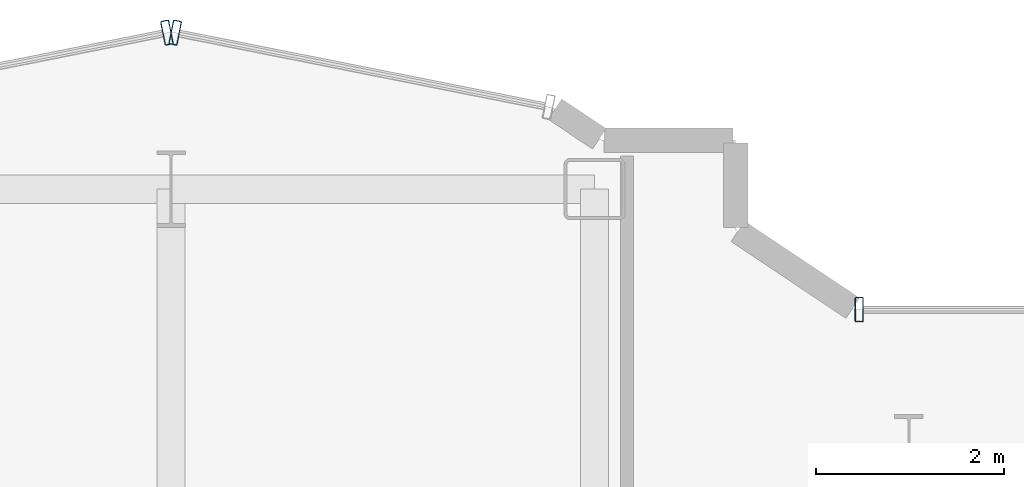
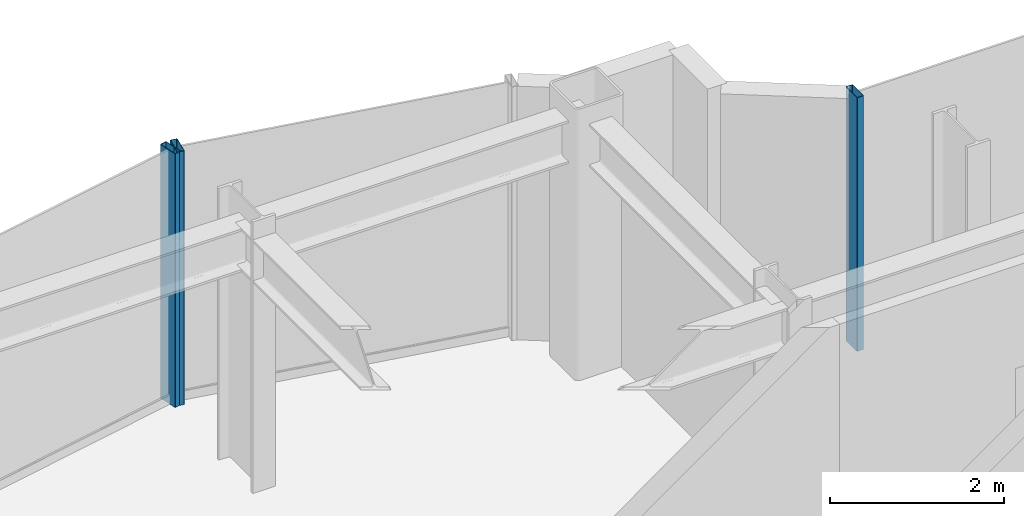
# One storey, part 10 of 20: 3 members, 3 elements without a shape of their own.
"""IFC4 building model written with IfcOpenShell, lengths in metres."""

from ifc_helpers import new_model, si_unit, direction, frame, origin, origin_2d, place, context, subcontext, project, spatial, hollow_rectangle, extrude, source, transform, mapped, material, layer, layer_set, material_profile, profile_set, type_object, element, aggregate, save


model = new_model("IFC4")

# Units and contexts
model_context = context("Model", 3, precision=1e-05, world=origin(), true_north=direction((0.0, 1.0)))
body_context = subcontext(model_context, "Body", "Model", "MODEL_VIEW")
ifc_project = project(units=[si_unit("LENGTHUNIT", "METRE"), si_unit("AREAUNIT", "SQUARE_METRE"), si_unit("VOLUMEUNIT", "CUBIC_METRE"), si_unit("PLANEANGLEUNIT", "RADIAN"), si_unit("MASSUNIT", "GRAM", prefix="KILO")], contexts=[model_context])

# Site, building, storey
site_placement = place(None, origin())
site = spatial("IfcSite", under=ifc_project, at=site_placement, CompositionType="ELEMENT")
building_placement = place(site_placement, origin())
building = spatial("IfcBuilding", under=site, at=building_placement, Name="Nefas-Gora Pilgrimage Tower", CompositionType="ELEMENT")
storey_placement = place(building_placement, frame((0.0, 0.0, 214.199951171875)))
storey = spatial("IfcBuildingStorey", under=building, at=storey_placement, Name="L53", CompositionType="ELEMENT", Elevation=214.199951171875)

# Curtain wall, member
ifc_material_1 = material(Name="Dark ceramic-fritted solar-control aluminium-glass curtain wall", Category="aluminium")
ifc_layer = layer(ifc_material_1, 0.219970703125)
ifc_layer_set = layer_set([ifc_layer], Name="Dark ceramic-fritted solar-control aluminium-glass curtain wall")
curtain_wall_type = type_object("IfcCurtainWallType", Name="CW-SYS-5", PredefinedType="NOTDEFINED", material=ifc_layer_set)
curtain_wall_1_placement = place(storey_placement, origin())
curtain_wall_1 = element("IfcCurtainWall", 1, at=curtain_wall_1_placement, inside=storey, type_object=curtain_wall_type, Name="L53 Unitised Curtain Wall CW5", PredefinedType="NOTDEFINED")
ifc_material_2 = material(Name="Anodised architectural aluminium", Category="aluminium")
ifc_material_profile = material_profile(ifc_material_2, hollow_rectangle(XDim=0.090087890625, YDim=0.260009765625, WallThickness=0.006103515625, InnerFilletRadius=0.006103515625, OuterFilletRadius=0.011962890625, at=origin_2d()), Name="ALU MULLION 90x260")
ifc_profile_set = profile_set([ifc_material_profile], Name="Anodised architectural aluminium")
member_type = type_object("IfcMemberType", Name="CWM-MUL-5", PredefinedType="MULLION", material=ifc_profile_set)
shared_shape = source(origin(), body_context, "Body", "SweptSolid", [
    extrude(hollow_rectangle(XDim=0.090087890625, YDim=0.260009765625, WallThickness=0.006103515625, InnerFilletRadius=0.006103515625, OuterFilletRadius=0.011962890625, at=origin_2d()), origin(), (0.0, 0.0, 1.0), 3.550048828125),
])
member_1_placement = place(storey_placement, frame((5.06298828125, 21.219970703125, 0.0), z_axis=(0.0, 0.0, 1.0), x_axis=(-1.0, 0.0, 0.0)))
member_1 = element("IfcMember", 2, at=member_1_placement, type_object=member_type, Name="CW5 Mullion 2", PredefinedType="MULLION", context=body_context, shape_type="MappedRepresentation", body=[
    mapped(shared_shape, transform((0.0, 0.0, 0.0), x_axis=(1.0, 0.0, 0.0), y_axis=(0.0, 1.0, 0.0), z_axis=(0.0, 0.0, 1.0), scale=1.0)),
])
aggregate(curtain_wall_1, [member_1])

curtain_wall_2_placement = place(storey_placement, origin())
curtain_wall_2 = element("IfcCurtainWall", 3, at=curtain_wall_2_placement, inside=storey, type_object=curtain_wall_type, Name="L53 Unitised Curtain Wall CW5", PredefinedType="NOTDEFINED")
member_2_placement = place(storey_placement, frame((-2.205810546875, 24.16357421875, 0.0), z_axis=(0.0, 0.0, 1.0), x_axis=(-0.980782896852, 0.195102304554, 0.0)))
member_2 = element("IfcMember", 4, at=member_2_placement, type_object=member_type, Name="CW5 Mullion 2", PredefinedType="MULLION", context=body_context, shape_type="MappedRepresentation", body=[
    mapped(shared_shape, transform((0.0, 0.0, 0.0), x_axis=(1.0, 0.0, 0.0), y_axis=(0.0, 1.0, 0.0), z_axis=(0.0, 0.0, 1.0), scale=1.0)),
])
aggregate(curtain_wall_2, [member_2])

curtain_wall_3_placement = place(storey_placement, origin())
curtain_wall_3 = element("IfcCurtainWall", 5, at=curtain_wall_3_placement, inside=storey, type_object=curtain_wall_type, Name="L53 Unitised Curtain Wall CW5", PredefinedType="NOTDEFINED")
member_3_placement = place(storey_placement, frame((-2.294189453125, 24.16357421875, 0.0), z_axis=(0.0, 0.0, 1.0), x_axis=(-0.980782896852, -0.195102304554, 0.0)))
member_3 = element("IfcMember", 6, at=member_3_placement, type_object=member_type, Name="CW5 Mullion 1", PredefinedType="MULLION", context=body_context, shape_type="MappedRepresentation", body=[
    mapped(shared_shape, transform((0.0, 0.0, 0.0), x_axis=(1.0, 0.0, 0.0), y_axis=(0.0, 1.0, 0.0), z_axis=(0.0, 0.0, 1.0), scale=1.0)),
])
aggregate(curtain_wall_3, [member_3])

save(model, "model.ifc")
